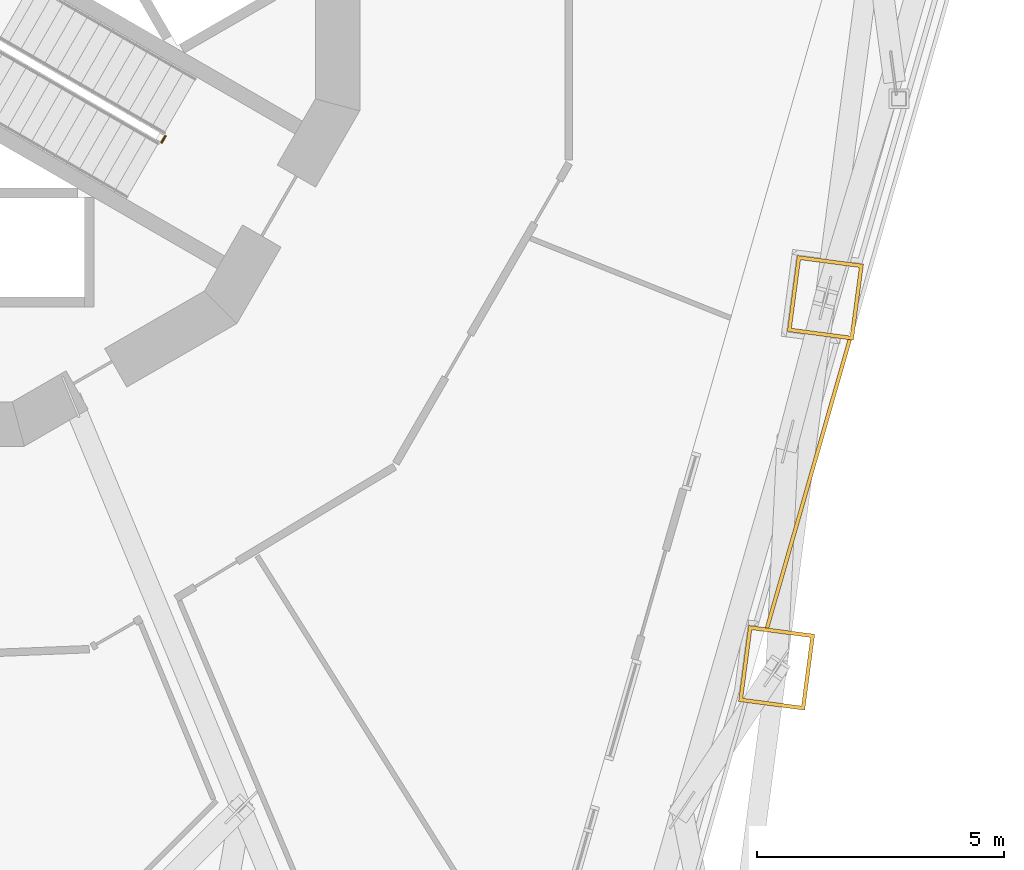
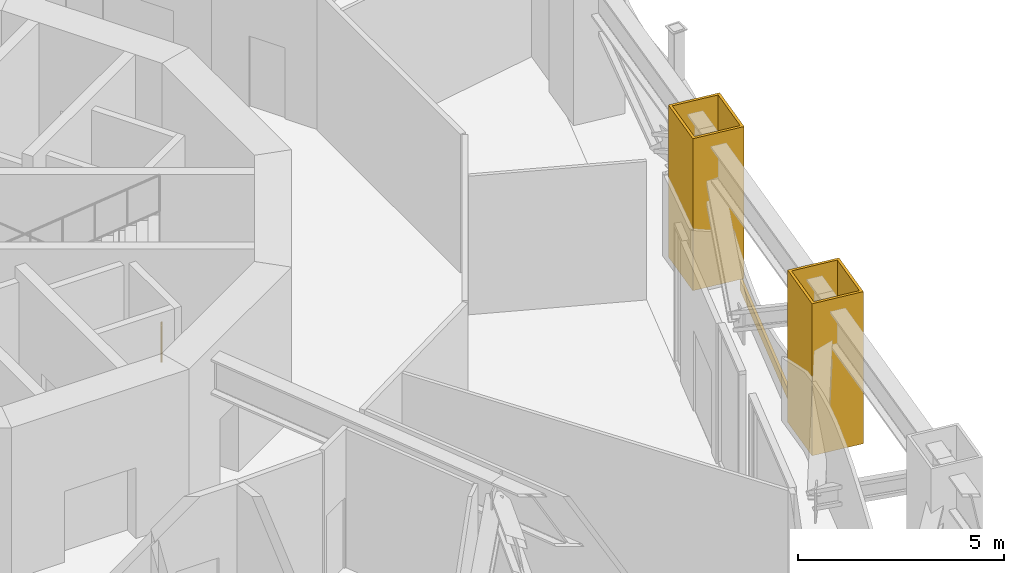
# One storey, part 22 of 26: 3 coverings, 1 railing.
"""IFC4 building model written with IfcOpenShell, lengths in metres."""

import ifcopenshell
import ifcopenshell.guid

model = None  # the IFC model being written
_history = None  # IfcOwnerHistory: only IFC2X3 demands one
_inside = {}  # id of a spatial element -> (the spatial element, [elements in it])
_under = {}  # id of a project, library or spatial element -> (it, [spatial elements below it])
_declared = {}  # id of a project -> (the project, [libraries it declares])
_typed = {}  # id of a type object -> (the type object, [elements of that type])
_made_of = {}  # id of a material, layer set ... -> (it, [elements and type objects made of it])


def new_model(schema):
    """Start an empty IFC model of exactly this schema.

    Asked for "IFC4X3", IfcOpenShell would pick the latest addendum, in which some entities
    have other attributes; the version numbers below select the first issue.
    IFC2X3 requires an IfcOwnerHistory on every rooted entity: one is made here for all.
    """
    global model, _history
    if schema == "IFC4X3":
        model = ifcopenshell.file(schema_version=(4, 3, 0, 0))
    else:
        model = ifcopenshell.file(schema=schema)
    _inside.clear()
    _under.clear()
    _declared.clear()
    _typed.clear()
    _made_of.clear()
    _history = None
    if model.schema == "IFC2X3":
        org = make("IfcOrganization", Name="unknown")
        user = make(
            "IfcPersonAndOrganization",
            ThePerson=make("IfcPerson", FamilyName="unknown"),
            TheOrganization=org,
        )
        app = make(
            "IfcApplication",
            ApplicationDeveloper=org,
            Version="unknown",
            ApplicationFullName="unknown",
            ApplicationIdentifier="unknown",
        )
        _history = make(
            "IfcOwnerHistory",
            OwningUser=user,
            OwningApplication=app,
            ChangeAction="ADDED",
            CreationDate=0,
        )
    return model


def make(cls, **values):
    """One entity of the class cls with the attributes given. An attribute that is None is left unset."""
    return model.create_entity(
        cls, **{name: value for name, value in values.items() if value is not None}
    )


def rooted(cls, **values):
    """An entity with a GlobalId (a new one), such as an element, a storey or a relation."""
    return make(cls, GlobalId=ifcopenshell.guid.new(), OwnerHistory=_history, **values)


def si_unit(unit_type, name, prefix=None):
    """IfcSIUnit, for example si_unit("LENGTHUNIT", "METRE", prefix="MILLI")."""
    return make("IfcSIUnit", UnitType=unit_type, Prefix=prefix, Name=name)


def assignment(units):
    """IfcUnitAssignment: the units of a project."""
    return None if units is None else make("IfcUnitAssignment", Units=units)


def point(xyz):
    """IfcCartesianPoint."""
    return None if xyz is None else make("IfcCartesianPoint", Coordinates=xyz)


def direction(xyz):
    """IfcDirection."""
    return None if xyz is None else make("IfcDirection", DirectionRatios=xyz)


def frame(location, z_axis=None, x_axis=None):
    """IfcAxis2Placement3D, a coordinate frame: its origin and axes. An axis left out is left unset."""
    return make(
        "IfcAxis2Placement3D",
        Location=point(location),
        Axis=direction(z_axis),
        RefDirection=direction(x_axis),
    )


def frame_2d(location, x_axis=None):
    """IfcAxis2Placement2D, a coordinate frame in the plane: its origin and x axis."""
    return make(
        "IfcAxis2Placement2D", Location=point(location), RefDirection=direction(x_axis)
    )


def origin():
    """The frame at (0, 0, 0) with its axes left unset."""
    return frame((0.0, 0.0, 0.0))


def origin_2d():
    """The frame at (0, 0) in the plane with its x axis left unset."""
    return frame_2d((0.0, 0.0))


def place(relative_to, where):
    """IfcLocalPlacement: puts the frame where relative to a parent placement (None: the world)."""
    return make(
        "IfcLocalPlacement", PlacementRelTo=relative_to, RelativePlacement=where
    )


def context(
    kind, dimensions, precision=None, world=None, true_north=None, identifier=None
):
    """IfcGeometricRepresentationContext, for example the 3D "Model" context."""
    return make(
        "IfcGeometricRepresentationContext",
        ContextIdentifier=identifier,
        ContextType=kind,
        CoordinateSpaceDimension=dimensions,
        Precision=precision,
        WorldCoordinateSystem=world,
        TrueNorth=true_north,
    )


def subcontext(parent, identifier, kind, view, scale=None):
    """IfcGeometricRepresentationSubContext, for example "Body" below "Model"."""
    return make(
        "IfcGeometricRepresentationSubContext",
        ContextIdentifier=identifier,
        ContextType=kind,
        ParentContext=parent,
        TargetScale=scale,
        TargetView=view,
    )


def project(units=None, contexts=None):
    """IfcProject with its units and contexts."""
    return rooted(
        "IfcProject",
        Name="project",
        RepresentationContexts=contexts,
        UnitsInContext=assignment(units),
    )


def spatial(cls, under=None, at=None, **own):
    """A site, building, storey or space (cls), placed at a placement, below another one or the project."""
    s = rooted(cls, ObjectPlacement=at, **own)
    if under is not None:
        _under.setdefault(under.id(), (under, []))[1].append(s)
    return s


def polyline(points):
    """IfcPolyline through the points."""
    return make("IfcPolyline", Points=[point(p) for p in points])


def profile(cls, at=None, kind="AREA", **sizes):
    """A parametric profile (cls). Its sizes go by their IFC names, for example OverallWidth=200.0."""
    return make(cls, ProfileType=kind, Position=at, **sizes)


def circle(**sizes):
    """IfcCircleProfileDef."""
    return profile("IfcCircleProfileDef", **sizes)


def outline(outer, holes=None, kind="AREA"):
    """IfcArbitraryClosedProfileDef: a profile drawn as a closed curve; with holes, ...WithVoids."""
    if holes is None:
        return make("IfcArbitraryClosedProfileDef", ProfileType=kind, OuterCurve=outer)
    return make(
        "IfcArbitraryProfileDefWithVoids",
        ProfileType=kind,
        OuterCurve=outer,
        InnerCurves=holes,
    )


def extrude(swept, where, along, depth):
    """IfcExtrudedAreaSolid: the profile swept, set in the frame where, extruded along a direction by depth."""
    return make(
        "IfcExtrudedAreaSolid",
        SweptArea=swept,
        Position=where,
        ExtrudedDirection=direction(along),
        Depth=depth,
    )


def shape(context_of_items, identifier, shape_type, items):
    """IfcShapeRepresentation: the items that make up one representation, for example the "Body"."""
    return make(
        "IfcShapeRepresentation",
        ContextOfItems=context_of_items,
        RepresentationIdentifier=identifier,
        RepresentationType=shape_type,
        Items=items,
    )


def material(Name=None, Category=None):
    """IfcMaterial."""
    return make("IfcMaterial", Name=Name, Category=Category)


def layer(
    of_material, thickness, ventilated=None, Name=None, Category=None, Priority=None
):
    """IfcMaterialLayer: one layer of a wall or slab, of a material (None: an air gap)."""
    return make(
        "IfcMaterialLayer",
        Material=of_material,
        LayerThickness=thickness,
        IsVentilated=ventilated,
        Name=Name,
        Category=Category,
        Priority=Priority,
    )


def layer_set(layers, Name=None):
    """IfcMaterialLayerSet."""
    return make("IfcMaterialLayerSet", MaterialLayers=layers, LayerSetName=Name)


def made_of(thing, what):
    """Note that an element or type object is made of a material, layer set ...; save() writes the relation."""
    if what is not None:
        _made_of.setdefault(what.id(), (what, []))[1].append(thing)
    return thing


def type_object(cls, material=None, **own):
    """A type object (cls), such as IfcWallType, which elements share."""
    return made_of(rooted(cls, **own), material)


def element(
    cls,
    number,
    at=None,
    inside=None,
    cuts=None,
    type_object=None,
    material=None,
    context=None,
    identifier="Body",
    shape_type=None,
    held_by="IfcProductDefinitionShape",
    body=None,
    shapes=None,
    **own,
):
    """One element of the class cls, such as IfcWall. Its Tag is "e" and its number.

    at: its placement. inside: the storey or other place that contains it. cuts: it is an
    opening in that element (IfcRelVoidsElement). A single representation is given by context,
    identifier, shape_type and body (its items); several are given by shapes. held_by: the class
    of the entity that holds the representations. save() writes the other relations.
    """
    e = rooted(cls, Tag="e%d" % number, ObjectPlacement=at, **own)
    if body is not None:
        shapes = [shape(context, identifier, shape_type, body)]
    if shapes is not None:
        e.Representation = make(held_by, Representations=shapes)
    if inside is not None:
        _inside.setdefault(inside.id(), (inside, []))[1].append(e)
    if cuts is not None:
        rooted(
            "IfcRelVoidsElement", RelatingBuildingElement=cuts, RelatedOpeningElement=e
        )
    if type_object is not None:
        _typed.setdefault(type_object.id(), (type_object, []))[1].append(e)
    return made_of(e, material)


def aggregate(whole, parts):
    """IfcRelAggregates: a whole, such as a stair, and the parts it consists of."""
    return rooted("IfcRelAggregates", RelatingObject=whole, RelatedObjects=parts)


def save(model, path):
    """Write the relations noted so far, then the file.

    IfcRelAggregates (storeys below a building ...), IfcRelContainedInSpatialStructure (elements
    in a storey), IfcRelDefinesByType, IfcRelAssociatesMaterial and IfcRelDeclares: one each for
    every whole, place, type object, material and project.
    """
    for whole, parts in _under.values():
        aggregate(whole, parts)
    for where, things in _inside.values():
        rooted(
            "IfcRelContainedInSpatialStructure",
            RelatedElements=things,
            RelatingStructure=where,
        )
    for kind, things in _typed.values():
        rooted("IfcRelDefinesByType", RelatedObjects=things, RelatingType=kind)
    for what, things in _made_of.values():
        rooted("IfcRelAssociatesMaterial", RelatedObjects=things, RelatingMaterial=what)
    for by, libraries in _declared.values():
        rooted("IfcRelDeclares", RelatingContext=by, RelatedDefinitions=libraries)
    model.write(path)


model = new_model("IFC4")

# Units and contexts
model_context = context("Model", 3, precision=1e-05, world=origin(), true_north=direction((0.0, 1.0)))
body_context = subcontext(model_context, "Body", "Model", "MODEL_VIEW")
ifc_project = project(units=[si_unit("LENGTHUNIT", "METRE"), si_unit("AREAUNIT", "SQUARE_METRE"), si_unit("VOLUMEUNIT", "CUBIC_METRE"), si_unit("PLANEANGLEUNIT", "RADIAN"), si_unit("MASSUNIT", "GRAM", prefix="KILO")], contexts=[model_context])

# Site, building, storey
site_placement = place(None, origin())
site = spatial("IfcSite", under=ifc_project, at=site_placement, CompositionType="ELEMENT")
building_placement = place(site_placement, origin())
building = spatial("IfcBuilding", under=site, at=building_placement, Name="Trine Commons Tower", CompositionType="ELEMENT")
storey_placement = place(building_placement, frame((0.0, 0.0, 119.699951171875)))
storey = spatial("IfcBuildingStorey", under=building, at=storey_placement, Name="L30", CompositionType="ELEMENT", Elevation=119.699951171875)

# Coverings
ifc_material_1 = material(Name="Limestone, honed", Category="masonry")
ifc_layer_1 = layer(ifc_material_1, 0.074951171875)
ifc_layer_set_1 = layer_set([ifc_layer_1], Name="Limestone, honed")
covering_type_1 = type_object("IfcCoveringType", Name="Limestone column cladding 75", PredefinedType="CLADDING", material=ifc_layer_set_1)
covering_1_placement = place(storey_placement, origin())
element("IfcCovering", 1, at=covering_1_placement, inside=storey, type_object=covering_type_1, Name="Limestone pier cladding 4-21", PredefinedType="CLADDING", context=body_context, shape_type="SweptSolid", body=[
    extrude(outline(polyline([(99.465087890625, 56.910400390625), (98.126708984375, 57.086669921875), (97.92431640625, 55.5498046875), (99.262939453125, 55.373779296875), (99.465087890625, 56.910400390625)]), holes=[polyline([(99.381103515625, 56.845947265625), (98.19140625, 57.00244140625), (98.008544921875, 55.614501953125), (99.1982421875, 55.4580078125), (99.381103515625, 56.845947265625)])]), origin(), (0.0, 0.0, 1.0), 4.5),
])
covering_2_placement = place(storey_placement, origin())
element("IfcCovering", 2, at=covering_2_placement, inside=storey, type_object=covering_type_1, Name="Limestone pier cladding 4-22", PredefinedType="CLADDING", context=body_context, shape_type="SweptSolid", body=[
    extrude(outline(polyline([(98.4794921875, 49.423095703125), (97.14111328125, 49.599365234375), (96.938720703125, 48.0625), (98.277099609375, 47.886474609375), (98.4794921875, 49.423095703125)]), holes=[polyline([(98.395263671875, 49.358642578125), (97.20556640625, 49.51513671875), (97.02294921875, 48.127197265625), (98.212646484375, 47.970703125), (98.395263671875, 49.358642578125)])]), origin(), (0.0, 0.0, 1.0), 4.5),
])
ifc_layer_2 = layer(ifc_material_1, 0.074951171875)
ifc_layer_set_2 = layer_set([ifc_layer_2], Name="Limestone, honed")
covering_type_2 = type_object("IfcCoveringType", Name="Limestone spandrel panel 75", PredefinedType="CLADDING", material=ifc_layer_set_2)
covering_3_placement = place(storey_placement, frame((0.0, 0.0, -0.300048828125)))
element("IfcCovering", 3, at=covering_3_placement, inside=storey, type_object=covering_type_2, Name="Limestone spandrel panel 3-04", PredefinedType="CLADDING", context=body_context, shape_type="SweptSolid", body=[
    extrude(outline(polyline([(97.552978515625, 49.545166015625), (99.225830078125, 55.378662109375), (99.150634765625, 55.388427734375), (97.477783203125, 49.554931640625), (97.552978515625, 49.545166015625)])), origin(), (0.0, 0.0, 1.0), 0.300048828125),
])

# Railing
ifc_material_2 = material(Name="Stainless steel balustrade", Category="steel")
railing_type = type_object("IfcRailingType", Name="Stair guard, steel balustrade 1100", PredefinedType="GUARDRAIL", material=ifc_material_2)
railing_placement = place(storey_placement, frame((85.338134765625, 59.504638671875, 0.0)))
element("IfcRailing", 4, at=railing_placement, inside=storey, type_object=railing_type, Name="L30 ST3B stair guard 4", PredefinedType="GUARDRAIL", context=body_context, shape_type="SweptSolid", body=[
    extrude(circle(Radius=0.02392578125, at=origin_2d()), frame((0.0, 0.0, 1.076171875), z_axis=(-0.499816412211, -0.866131372301, 0.0), x_axis=(0.866131372301, -0.499816412211, 0.0)), (0.0, 0.0, 1.0), 0.14990234375),
    extrude(circle(Radius=0.02099609375, at=origin_2d()), origin(), (0.0, 0.0, 1.0), 1.052001953125),
    extrude(circle(Radius=0.02099609375, at=origin_2d()), frame((-0.074951171875, -0.1298828125, 0.0)), (0.0, 0.0, 1.0), 1.052001953125),
])

save(model, "model.ifc")
